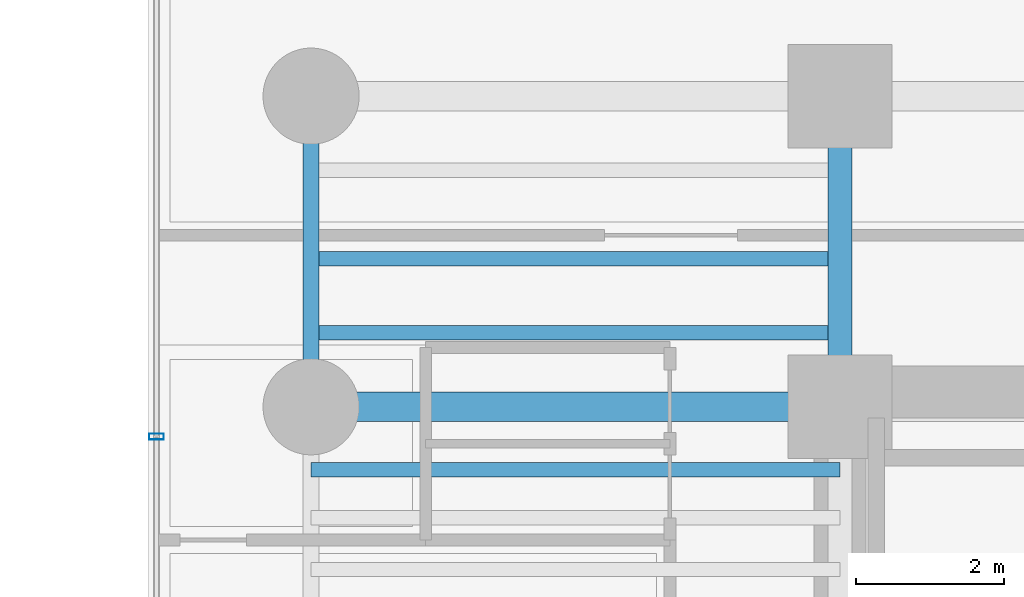
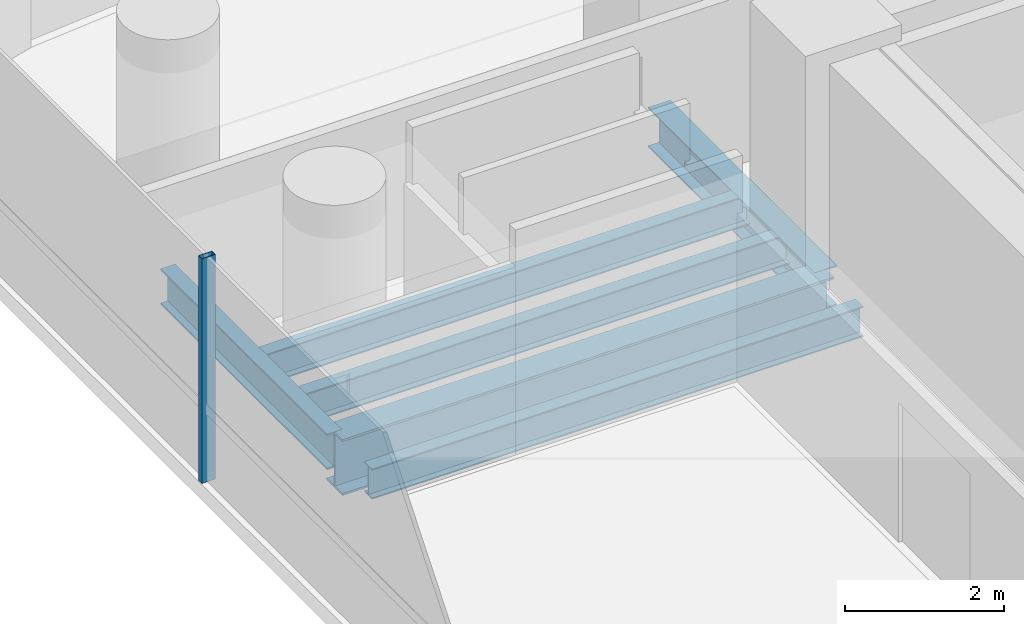
# One storey, part 10 of 41: 6 beams, 1 member, 1 element without a shape of its own.
"""IFC4 building model written with IfcOpenShell, lengths in metres."""

from ifc_helpers import new_model, si_unit, direction, frame, origin, origin_2d, place, context, subcontext, project, spatial, hollow_rectangle, i_section, extrude, source, transform, mapped, material, material_profile, profile_set, type_object, element, aggregate, save


model = new_model("IFC4")

# Units and contexts
model_context = context("Model", 3, precision=1e-05, world=origin(), true_north=direction((0.0, 1.0)))
body_context = subcontext(model_context, "Body", "Model", "MODEL_VIEW")
ifc_project = project(units=[si_unit("LENGTHUNIT", "METRE"), si_unit("AREAUNIT", "SQUARE_METRE"), si_unit("VOLUMEUNIT", "CUBIC_METRE"), si_unit("PLANEANGLEUNIT", "RADIAN"), si_unit("MASSUNIT", "GRAM", prefix="KILO")], contexts=[model_context])

# Site, building, storey
site_placement = place(None, origin())
site = spatial("IfcSite", under=ifc_project, at=site_placement, CompositionType="ELEMENT")
building_placement = place(site_placement, origin())
building = spatial("IfcBuilding", under=site, at=building_placement, Name="Valdorenza Pilgrim Sanctuary Tower", CompositionType="ELEMENT")
storey_placement = place(building_placement, frame((0.0, 0.0, 63.0)))
storey = spatial("IfcBuildingStorey", under=building, at=storey_placement, Name="L15", CompositionType="ELEMENT", Elevation=63.0)

# Beams
ifc_material_1 = material(Name="Steel ASTM A992 Grade 50", Category="steel")
ifc_material_profile_1 = material_profile(ifc_material_1, i_section(OverallWidth=0.214111328125, OverallDepth=0.549072265625, WebThickness=0.0146484375, FlangeThickness=0.023681640625, at=origin_2d()), Name="W21X93")
ifc_profile_set_1 = profile_set([ifc_material_profile_1], Name="Steel ASTM A992 Grade 50")
beam_type_1 = type_object("IfcBeamType", Name="STR-BM-SPN-W21A", PredefinedType="SPANDREL", material=ifc_profile_set_1)
shared_shape_1 = source(origin(), body_context, "Body", "SweptSolid", [
    extrude(i_section(OverallWidth=0.214111328125, OverallDepth=0.549072265625, WebThickness=0.0146484375, FlangeThickness=0.023681640625, at=origin_2d()), origin(), (0.0, 0.0, 1.0), 4.199951171875),
])
beam_1_placement = place(storey_placement, frame((-29.800048828125, 10.60009765625, -0.514404296875), z_axis=(0.0, 1.0, 0.0), x_axis=(-1.0, 0.0, 0.0)))
element("IfcBeam", 1, at=beam_1_placement, inside=storey, type_object=beam_type_1, Name="L15 Spandrel Beam WA-W-N1N2", PredefinedType="SPANDREL", context=body_context, shape_type="MappedRepresentation", body=[
    mapped(shared_shape_1, transform((0.0, 0.0, 0.0), x_axis=(1.0, 0.0, 0.0), y_axis=(0.0, 1.0, 0.0), z_axis=(0.0, 0.0, 1.0), scale=1.0)),
])
ifc_material_profile_2 = material_profile(ifc_material_1, i_section(OverallWidth=0.323974609375, OverallDepth=0.611083984375, WebThickness=0.0126953125, FlangeThickness=0.01904296875, at=origin_2d()), Name="W24X104")
ifc_profile_set_2 = profile_set([ifc_material_profile_2], Name="Steel ASTM A992 Grade 50")
beam_type_2 = type_object("IfcBeamType", Name="STR-BM-GRD-W24B", PredefinedType="BEAM", material=ifc_profile_set_2)
shared_shape_2 = source(origin(), body_context, "Body", "SweptSolid", [
    extrude(i_section(OverallWidth=0.323974609375, OverallDepth=0.611083984375, WebThickness=0.0126953125, FlangeThickness=0.01904296875, at=origin_2d()), origin(), (0.0, 0.0, 1.0), 4.199951171875),
])
beam_2_placement = place(storey_placement, frame((-22.64990234375, 10.60009765625, -0.54541015625), z_axis=(0.0, 1.0, 0.0), x_axis=(-1.0, 0.0, 0.0)))
element("IfcBeam", 2, at=beam_2_placement, inside=storey, type_object=beam_type_2, Name="L15 Core Tie Girder CA-W-N1N2", PredefinedType="BEAM", context=body_context, shape_type="MappedRepresentation", body=[
    mapped(shared_shape_2, transform((0.0, 0.0, 0.0), x_axis=(1.0, 0.0, 0.0), y_axis=(0.0, 1.0, 0.0), z_axis=(0.0, 0.0, 1.0), scale=1.0)),
])
ifc_material_profile_3 = material_profile(ifc_material_1, i_section(OverallWidth=0.193115234375, OverallDepth=0.466064453125, WebThickness=0.011474609375, FlangeThickness=0.01904296875, at=origin_2d()), Name="W18X65")
ifc_profile_set_3 = profile_set([ifc_material_profile_3], Name="Steel ASTM A992 Grade 50")
beam_type_3 = type_object("IfcBeamType", Name="STR-BM-JST-W18A", PredefinedType="JOIST", material=ifc_profile_set_3)
shared_shape_3 = source(origin(), body_context, "Body", "SweptSolid", [
    extrude(i_section(OverallWidth=0.193115234375, OverallDepth=0.466064453125, WebThickness=0.011474609375, FlangeThickness=0.01904296875, at=origin_2d()), origin(), (0.0, 0.0, 1.0), 7.150146484375),
])
for number, where, z_axis, x_axis, name in (
    (3, (-29.800048828125, 9.75, -0.472900390625), (1.0, 0.0, 0.0), (0.0, 1.0, 0.0), "L15 Composite Floor Joist JST-WA-23"),
    (4, (-29.800048828125, 11.60009765625, -0.472900390625), (1.0, 0.0, 0.0), (0.0, 1.0, 0.0), "L15 Composite Floor Joist JST-WA-24"),
    (5, (-29.800048828125, 12.60009765625, -0.472900390625), (1.0, 0.0, 0.0), (0.0, 1.0, 0.0), "L15 Composite Floor Joist JST-WA-25"),
):
    element("IfcBeam", number, at=place(storey_placement, frame(where, z_axis=z_axis, x_axis=x_axis)), inside=storey, type_object=beam_type_3, Name=name, PredefinedType="JOIST", context=body_context, shape_type="MappedRepresentation", body=[
        mapped(shared_shape_3, transform((0.0, 0.0, 0.0), x_axis=(1.0, 0.0, 0.0), y_axis=(0.0, 1.0, 0.0), z_axis=(0.0, 0.0, 1.0), scale=1.0)),
    ])
ifc_material_profile_4 = material_profile(ifc_material_1, i_section(OverallWidth=0.39990234375, OverallDepth=0.862060546875, WebThickness=0.019775390625, FlangeThickness=0.032470703125, at=origin_2d()), Name="W33X221")
ifc_profile_set_4 = profile_set([ifc_material_profile_4], Name="Steel ASTM A992 Grade 50")
beam_type_4 = type_object("IfcBeamType", Name="STR-BM-GRD-W33", PredefinedType="BEAM", material=ifc_profile_set_4)
shared_shape_4 = source(origin(), body_context, "Body", "SweptSolid", [
    extrude(i_section(OverallWidth=0.39990234375, OverallDepth=0.862060546875, WebThickness=0.019775390625, FlangeThickness=0.032470703125, at=origin_2d()), origin(), (0.0, 0.0, 1.0), 7.150146484375),
])
beam_3_placement = place(storey_placement, frame((-29.800048828125, 10.60009765625, -0.6708984375), z_axis=(1.0, 0.0, 0.0), x_axis=(0.0, 1.0, 0.0)))
element("IfcBeam", 6, at=beam_3_placement, inside=storey, type_object=beam_type_4, Name="L15 Floor Girder WA-XW-N1", PredefinedType="BEAM", context=body_context, shape_type="MappedRepresentation", body=[
    mapped(shared_shape_4, transform((0.0, 0.0, 0.0), x_axis=(1.0, 0.0, 0.0), y_axis=(0.0, 1.0, 0.0), z_axis=(0.0, 0.0, 1.0), scale=1.0)),
])

# Curtain wall, member
ifc_material_2 = material(Name="Curtain-wall IGU glazing", Category="glass")
curtain_wall_type = type_object("IfcCurtainWallType", Name="CW-SYS-02", PredefinedType="NOTDEFINED", material=ifc_material_2)
curtain_wall_placement = place(storey_placement, origin())
curtain_wall = element("IfcCurtainWall", 7, at=curtain_wall_placement, inside=storey, type_object=curtain_wall_type, Name="L15 Curtain Wall CW-L15-1-1S2", PredefinedType="NOTDEFINED")
ifc_material_3 = material(Name="Anodised aluminium AW-6060", Category="aluminium")
ifc_material_profile_5 = material_profile(ifc_material_3, hollow_rectangle(XDim=0.0849609375, YDim=0.199951171875, WallThickness=0.0048828125, at=origin_2d()), Name="ALU-M 200x85x5")
ifc_profile_set_5 = profile_set([ifc_material_profile_5], Name="Anodised aluminium AW-6060")
member_type = type_object("IfcMemberType", Name="CW-MUL-02", PredefinedType="MULLION", material=ifc_profile_set_5)
shared_shape_5 = source(origin(), body_context, "Body", "SweptSolid", [
    extrude(hollow_rectangle(XDim=0.0849609375, YDim=0.199951171875, WallThickness=0.0048828125, at=origin_2d()), origin(), (0.0, 0.0, 1.0), 3.4599609375),
])
member_placement = place(storey_placement, frame((-31.889892578125, 10.19580078125, 0.0), z_axis=(0.0, 0.0, 1.0), x_axis=(0.0, 1.0, 0.0)))
member = element("IfcMember", 8, at=member_placement, type_object=member_type, Name="CW-L15-1-1S2 Mullion 3", PredefinedType="MULLION", context=body_context, shape_type="MappedRepresentation", body=[
    mapped(shared_shape_5, transform((0.0, 0.0, 0.0), x_axis=(1.0, 0.0, 0.0), y_axis=(0.0, 1.0, 0.0), z_axis=(0.0, 0.0, 1.0), scale=1.0)),
])
aggregate(curtain_wall, [member])

save(model, "model.ifc")
